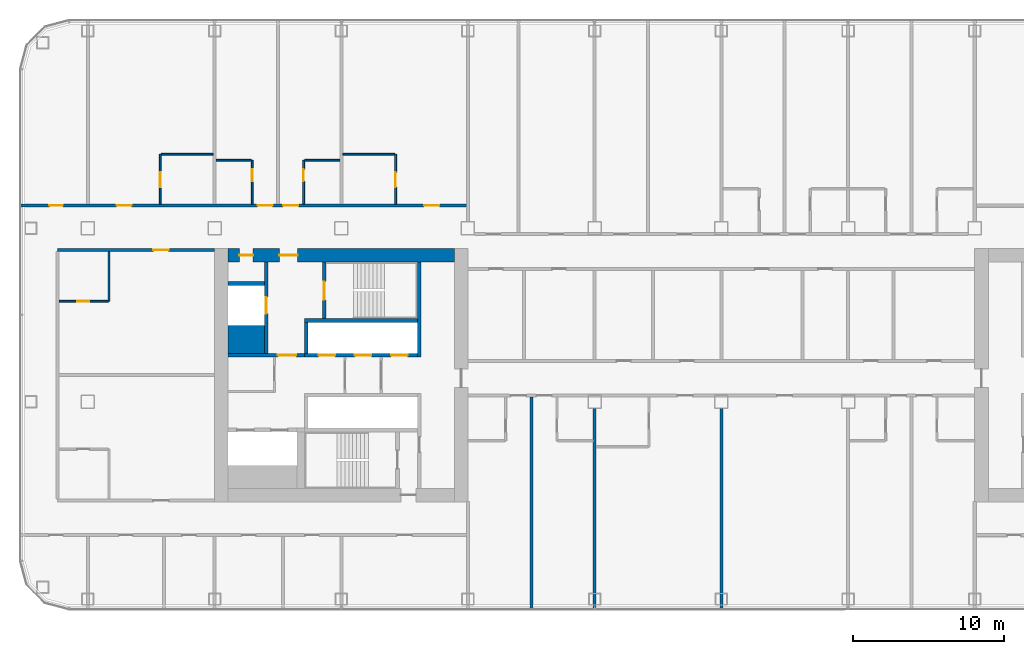
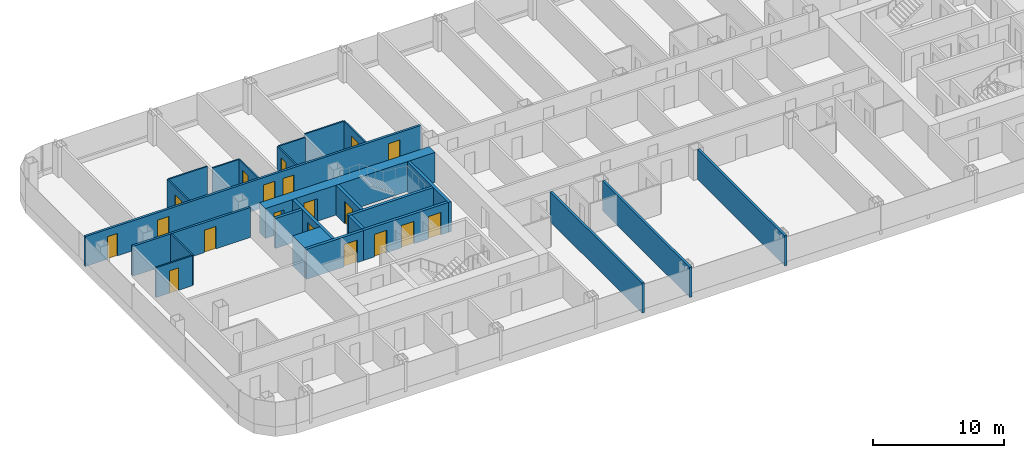
# One storey, part 16 of 29: 25 walls, 19 doors, 19 openings.
"""IFC4 building model written with IfcOpenShell, lengths in metres."""

import ifcopenshell
import ifcopenshell.guid

model = None  # the IFC model being written
_history = None  # IfcOwnerHistory: only IFC2X3 demands one
_inside = {}  # id of a spatial element -> (the spatial element, [elements in it])
_under = {}  # id of a project, library or spatial element -> (it, [spatial elements below it])
_declared = {}  # id of a project -> (the project, [libraries it declares])
_typed = {}  # id of a type object -> (the type object, [elements of that type])
_made_of = {}  # id of a material, layer set ... -> (it, [elements and type objects made of it])


def new_model(schema):
    """Start an empty IFC model of exactly this schema.

    Asked for "IFC4X3", IfcOpenShell would pick the latest addendum, in which some entities
    have other attributes; the version numbers below select the first issue.
    IFC2X3 requires an IfcOwnerHistory on every rooted entity: one is made here for all.
    """
    global model, _history
    if schema == "IFC4X3":
        model = ifcopenshell.file(schema_version=(4, 3, 0, 0))
    else:
        model = ifcopenshell.file(schema=schema)
    _inside.clear()
    _under.clear()
    _declared.clear()
    _typed.clear()
    _made_of.clear()
    _history = None
    if model.schema == "IFC2X3":
        org = make("IfcOrganization", Name="unknown")
        user = make(
            "IfcPersonAndOrganization",
            ThePerson=make("IfcPerson", FamilyName="unknown"),
            TheOrganization=org,
        )
        app = make(
            "IfcApplication",
            ApplicationDeveloper=org,
            Version="unknown",
            ApplicationFullName="unknown",
            ApplicationIdentifier="unknown",
        )
        _history = make(
            "IfcOwnerHistory",
            OwningUser=user,
            OwningApplication=app,
            ChangeAction="ADDED",
            CreationDate=0,
        )
    return model


def make(cls, **values):
    """One entity of the class cls with the attributes given. An attribute that is None is left unset."""
    return model.create_entity(
        cls, **{name: value for name, value in values.items() if value is not None}
    )


def rooted(cls, **values):
    """An entity with a GlobalId (a new one), such as an element, a storey or a relation."""
    return make(cls, GlobalId=ifcopenshell.guid.new(), OwnerHistory=_history, **values)


def si_unit(unit_type, name, prefix=None):
    """IfcSIUnit, for example si_unit("LENGTHUNIT", "METRE", prefix="MILLI")."""
    return make("IfcSIUnit", UnitType=unit_type, Prefix=prefix, Name=name)


def assignment(units):
    """IfcUnitAssignment: the units of a project."""
    return None if units is None else make("IfcUnitAssignment", Units=units)


def point(xyz):
    """IfcCartesianPoint."""
    return None if xyz is None else make("IfcCartesianPoint", Coordinates=xyz)


def direction(xyz):
    """IfcDirection."""
    return None if xyz is None else make("IfcDirection", DirectionRatios=xyz)


def frame(location, z_axis=None, x_axis=None):
    """IfcAxis2Placement3D, a coordinate frame: its origin and axes. An axis left out is left unset."""
    return make(
        "IfcAxis2Placement3D",
        Location=point(location),
        Axis=direction(z_axis),
        RefDirection=direction(x_axis),
    )


def frame_2d(location, x_axis=None):
    """IfcAxis2Placement2D, a coordinate frame in the plane: its origin and x axis."""
    return make(
        "IfcAxis2Placement2D", Location=point(location), RefDirection=direction(x_axis)
    )


def origin():
    """The frame at (0, 0, 0) with its axes left unset."""
    return frame((0.0, 0.0, 0.0))


def place(relative_to, where):
    """IfcLocalPlacement: puts the frame where relative to a parent placement (None: the world)."""
    return make(
        "IfcLocalPlacement", PlacementRelTo=relative_to, RelativePlacement=where
    )


def context(
    kind, dimensions, precision=None, world=None, true_north=None, identifier=None
):
    """IfcGeometricRepresentationContext, for example the 3D "Model" context."""
    return make(
        "IfcGeometricRepresentationContext",
        ContextIdentifier=identifier,
        ContextType=kind,
        CoordinateSpaceDimension=dimensions,
        Precision=precision,
        WorldCoordinateSystem=world,
        TrueNorth=true_north,
    )


def subcontext(parent, identifier, kind, view, scale=None):
    """IfcGeometricRepresentationSubContext, for example "Body" below "Model"."""
    return make(
        "IfcGeometricRepresentationSubContext",
        ContextIdentifier=identifier,
        ContextType=kind,
        ParentContext=parent,
        TargetScale=scale,
        TargetView=view,
    )


def project(units=None, contexts=None):
    """IfcProject with its units and contexts."""
    return rooted(
        "IfcProject",
        Name="project",
        RepresentationContexts=contexts,
        UnitsInContext=assignment(units),
    )


def spatial(cls, under=None, at=None, **own):
    """A site, building, storey or space (cls), placed at a placement, below another one or the project."""
    s = rooted(cls, ObjectPlacement=at, **own)
    if under is not None:
        _under.setdefault(under.id(), (under, []))[1].append(s)
    return s


def profile(cls, at=None, kind="AREA", **sizes):
    """A parametric profile (cls). Its sizes go by their IFC names, for example OverallWidth=200.0."""
    return make(cls, ProfileType=kind, Position=at, **sizes)


def rectangle(**sizes):
    """IfcRectangleProfileDef."""
    return profile("IfcRectangleProfileDef", **sizes)


def extrude(swept, where, along, depth):
    """IfcExtrudedAreaSolid: the profile swept, set in the frame where, extruded along a direction by depth."""
    return make(
        "IfcExtrudedAreaSolid",
        SweptArea=swept,
        Position=where,
        ExtrudedDirection=direction(along),
        Depth=depth,
    )


def shape(context_of_items, identifier, shape_type, items):
    """IfcShapeRepresentation: the items that make up one representation, for example the "Body"."""
    return make(
        "IfcShapeRepresentation",
        ContextOfItems=context_of_items,
        RepresentationIdentifier=identifier,
        RepresentationType=shape_type,
        Items=items,
    )


def material(Name=None, Category=None):
    """IfcMaterial."""
    return make("IfcMaterial", Name=Name, Category=Category)


def layer(
    of_material, thickness, ventilated=None, Name=None, Category=None, Priority=None
):
    """IfcMaterialLayer: one layer of a wall or slab, of a material (None: an air gap)."""
    return make(
        "IfcMaterialLayer",
        Material=of_material,
        LayerThickness=thickness,
        IsVentilated=ventilated,
        Name=Name,
        Category=Category,
        Priority=Priority,
    )


def layer_set(layers, Name=None):
    """IfcMaterialLayerSet."""
    return make("IfcMaterialLayerSet", MaterialLayers=layers, LayerSetName=Name)


def made_of(thing, what):
    """Note that an element or type object is made of a material, layer set ...; save() writes the relation."""
    if what is not None:
        _made_of.setdefault(what.id(), (what, []))[1].append(thing)
    return thing


def type_object(cls, material=None, **own):
    """A type object (cls), such as IfcWallType, which elements share."""
    return made_of(rooted(cls, **own), material)


def element(
    cls,
    number,
    at=None,
    inside=None,
    cuts=None,
    type_object=None,
    material=None,
    context=None,
    identifier="Body",
    shape_type=None,
    held_by="IfcProductDefinitionShape",
    body=None,
    shapes=None,
    **own,
):
    """One element of the class cls, such as IfcWall. Its Tag is "e" and its number.

    at: its placement. inside: the storey or other place that contains it. cuts: it is an
    opening in that element (IfcRelVoidsElement). A single representation is given by context,
    identifier, shape_type and body (its items); several are given by shapes. held_by: the class
    of the entity that holds the representations. save() writes the other relations.
    """
    e = rooted(cls, Tag="e%d" % number, ObjectPlacement=at, **own)
    if body is not None:
        shapes = [shape(context, identifier, shape_type, body)]
    if shapes is not None:
        e.Representation = make(held_by, Representations=shapes)
    if inside is not None:
        _inside.setdefault(inside.id(), (inside, []))[1].append(e)
    if cuts is not None:
        rooted(
            "IfcRelVoidsElement", RelatingBuildingElement=cuts, RelatedOpeningElement=e
        )
    if type_object is not None:
        _typed.setdefault(type_object.id(), (type_object, []))[1].append(e)
    return made_of(e, material)


def fill(opening, filler):
    """IfcRelFillsElement: the door or window that sits in an opening."""
    return rooted(
        "IfcRelFillsElement",
        RelatingOpeningElement=opening,
        RelatedBuildingElement=filler,
    )


def aggregate(whole, parts):
    """IfcRelAggregates: a whole, such as a stair, and the parts it consists of."""
    return rooted("IfcRelAggregates", RelatingObject=whole, RelatedObjects=parts)


def save(model, path):
    """Write the relations noted so far, then the file.

    IfcRelAggregates (storeys below a building ...), IfcRelContainedInSpatialStructure (elements
    in a storey), IfcRelDefinesByType, IfcRelAssociatesMaterial and IfcRelDeclares: one each for
    every whole, place, type object, material and project.
    """
    for whole, parts in _under.values():
        aggregate(whole, parts)
    for where, things in _inside.values():
        rooted(
            "IfcRelContainedInSpatialStructure",
            RelatedElements=things,
            RelatingStructure=where,
        )
    for kind, things in _typed.values():
        rooted("IfcRelDefinesByType", RelatedObjects=things, RelatingType=kind)
    for what, things in _made_of.values():
        rooted("IfcRelAssociatesMaterial", RelatedObjects=things, RelatingMaterial=what)
    for by, libraries in _declared.values():
        rooted("IfcRelDeclares", RelatingContext=by, RelatedDefinitions=libraries)
    model.write(path)


model = new_model("IFC4")

# Units and contexts
model_context = context("Model", 3, precision=1e-05, world=origin(), true_north=direction((0.0, 1.0)))
body_context = subcontext(model_context, "Body", "Model", "MODEL_VIEW")
ifc_project = project(units=[si_unit("LENGTHUNIT", "METRE"), si_unit("AREAUNIT", "SQUARE_METRE"), si_unit("VOLUMEUNIT", "CUBIC_METRE"), si_unit("PLANEANGLEUNIT", "RADIAN"), si_unit("MASSUNIT", "GRAM", prefix="KILO")], contexts=[model_context])

# Site, building, storey
site_placement = place(None, origin())
site = spatial("IfcSite", under=ifc_project, at=site_placement, CompositionType="ELEMENT")
building_placement = place(site_placement, origin())
building = spatial("IfcBuilding", under=site, at=building_placement, Name="Hakoniwa Tower and Hamabe Station Hall", CompositionType="ELEMENT")
storey_placement = place(building_placement, frame((0.0, 0.0, 78.60009765625)))
storey = spatial("IfcBuildingStorey", under=building, at=storey_placement, Name="L21", CompositionType="ELEMENT", Elevation=78.60009765625)

# Wall, opening, door
ifc_material_1 = material(Name="Gypsum board partition", Category="gypsum")
ifc_layer_1 = layer(ifc_material_1, 0.125)
ifc_layer_set_1 = layer_set([ifc_layer_1], Name="Bathroom Partition 125")
wall_type_1 = type_object("IfcWallType", Name="Bathroom Partition 125", PredefinedType="PARTITIONING", material=ifc_layer_set_1)
wall_1_placement = place(storey_placement, frame((-43.89990234375, 4.89990234375, 0.0), z_axis=(0.0, 0.0, 1.0), x_axis=(1.0, 0.0, 0.0)))
wall_1 = element("IfcWall", 1, at=wall_1_placement, inside=storey, type_object=wall_type_1, Name="GW-L21-016", PredefinedType="PARTITIONING", context=body_context, shape_type="SweptSolid", body=[
    extrude(rectangle(XDim=3.2373046875, YDim=0.125, at=frame_2d((1.61865234375, 0.0))), origin(), (0.0, 0.0, 1.0), 2.7998046875),
])
opening_1_placement = place(wall_1_placement, frame((1.199951171875, 0.0, 0.0)))
opening_1 = element("IfcOpeningElement", 2, at=opening_1_placement, cuts=wall_1, Name="Opening GD-G2B0-28", PredefinedType="OPENING", context=body_context, shape_type="SweptSolid", body=[
    extrude(rectangle(XDim=0.800048828125, YDim=2.10009765625, at=frame_2d((0.39990234375, 1.050048828125))), frame((0.0, 0.072509765625, 0.0), z_axis=(0.0, -1.0, 0.0), x_axis=(1.0, 0.0, 0.0)), (0.0, 0.0, 1.0), 0.14501953125),
])
ifc_material_2 = material(Name="Timber door leaf", Category="wood")
door_type_1 = type_object("IfcDoorType", Name="Bathroom Door 800", OperationType="SINGLE_SWING_LEFT", PredefinedType="DOOR", material=ifc_material_2)
door_1_placement = place(opening_1_placement, origin())
door_1 = element("IfcDoor", 3, at=door_1_placement, inside=storey, type_object=door_type_1, Name="Door GD-G2B0-28", OperationType="SINGLE_SWING_RIGHT", OverallHeight=2.10009765625, OverallWidth=0.800048828125, PredefinedType="DOOR", context=body_context, shape_type="SweptSolid", body=[
    extrude(rectangle(XDim=0.800048828125, YDim=2.10009765625, at=frame_2d((0.39990234375, 1.050048828125))), frame((0.0, 0.02490234375, 0.0), z_axis=(0.0, -1.0, 0.0), x_axis=(1.0, 0.0, 0.0)), (0.0, 0.0, 1.0), 0.050048828125),
])
fill(opening_1, door_1)

# Walls
for number, where, z_axis, x_axis, name in (
    (4, (-33.5, 14.25, 0.0), (0.0, 0.0, 1.0), (1.0, 0.0, 0.0), "GW-L21-027"),
    (5, (-27.637451171875, 14.25, 0.0), (0.0, 0.0, 1.0), (1.0, 0.0, 0.0), "GW-L21-028"),
):
    element("IfcWall", number, at=place(storey_placement, frame(where, z_axis=z_axis, x_axis=x_axis)), inside=storey, type_object=wall_type_1, Name=name, PredefinedType="PARTITIONING", context=body_context, shape_type="SweptSolid", body=[
        extrude(rectangle(XDim=2.33740234375, YDim=0.125, at=frame_2d((1.168701171875, 0.0))), origin(), (0.0, 0.0, 1.0), 2.7998046875),
    ])
for number, where, z_axis, x_axis, name in (
    (6, (-37.137451171875, 14.64990234375, 0.0), (0.0, 0.0, 1.0), (1.0, 0.0, 0.0), "GW-L21-029"),
    (7, (-25.10009765625, 14.64990234375, 0.0), (0.0, 0.0, 1.0), (1.0, 0.0, 0.0), "GW-L21-030"),
):
    element("IfcWall", number, at=place(storey_placement, frame(where, z_axis=z_axis, x_axis=x_axis)), inside=storey, type_object=wall_type_1, Name=name, PredefinedType="PARTITIONING", context=body_context, shape_type="SweptSolid", body=[
        extrude(rectangle(XDim=3.4375, YDim=0.125, at=frame_2d((1.71875, 0.0))), origin(), (0.0, 0.0, 1.0), 2.7998046875),
    ])
wall_2_placement = place(storey_placement, frame((-40.60009765625, 4.89990234375, 0.0), z_axis=(0.0, 0.0, 1.0), x_axis=(0.0, 1.0, 0.0)))
element("IfcWall", 8, at=wall_2_placement, inside=storey, type_object=wall_type_1, Name="GW-L21-035", PredefinedType="PARTITIONING", context=body_context, shape_type="SweptSolid", body=[
    extrude(rectangle(XDim=3.300048828125, YDim=0.125, at=frame_2d((1.64990234375, 0.0))), origin(), (0.0, 0.0, 1.0), 2.7998046875),
])

# Wall, opening, door
wall_3_placement = place(storey_placement, frame((-37.199951171875, 11.35009765625, 0.0), z_axis=(0.0, 0.0, 1.0), x_axis=(0.0, 1.0, 0.0)))
wall_3 = element("IfcWall", 9, at=wall_3_placement, inside=storey, type_object=wall_type_1, Name="GW-L21-036", PredefinedType="PARTITIONING", context=body_context, shape_type="SweptSolid", body=[
    extrude(rectangle(XDim=3.2998046875, YDim=0.125, at=frame_2d((1.64990234375, 0.0))), origin(), (0.0, 0.0, 1.0), 2.7998046875),
])
opening_2_placement = place(wall_3_placement, frame((1.10009765625, 0.0, 0.0)))
opening_2 = element("IfcOpeningElement", 10, at=opening_2_placement, cuts=wall_3, Name="Opening GD-G2B0-53", PredefinedType="OPENING", context=body_context, shape_type="SweptSolid", body=[
    extrude(rectangle(XDim=1.0, YDim=2.10009765625, at=frame_2d((0.5, 1.050048828125))), frame((0.0, 0.072509765625, 0.0), z_axis=(0.0, -1.0, 0.0), x_axis=(1.0, 0.0, 0.0)), (0.0, 0.0, 1.0), 0.14501953125),
])
ifc_material_3 = material(Name="Timber door leaf", Category="wood")
door_type_2 = type_object("IfcDoorType", Name="Accessible Bathroom Door 1000", OperationType="SINGLE_SWING_LEFT", PredefinedType="DOOR", material=ifc_material_3)
door_2_placement = place(opening_2_placement, origin())
door_2 = element("IfcDoor", 11, at=door_2_placement, inside=storey, type_object=door_type_2, Name="Door GD-G2B0-53", OperationType="SINGLE_SWING_LEFT", OverallHeight=2.10009765625, OverallWidth=1.0, PredefinedType="DOOR", context=body_context, shape_type="SweptSolid", body=[
    extrude(rectangle(XDim=1.0, YDim=2.10009765625, at=frame_2d((0.5, 1.050048828125))), frame((0.0, 0.02490234375, 0.0), z_axis=(0.0, -1.0, 0.0), x_axis=(1.0, 0.0, 0.0)), (0.0, 0.0, 1.0), 0.050048828125),
])
fill(opening_2, door_2)

wall_4_placement = place(storey_placement, frame((-31.10009765625, 11.35009765625, 0.0), z_axis=(0.0, 0.0, 1.0), x_axis=(0.0, 1.0, 0.0)))
wall_4 = element("IfcWall", 12, at=wall_4_placement, inside=storey, type_object=wall_type_1, Name="GW-L21-040", PredefinedType="PARTITIONING", context=body_context, shape_type="SweptSolid", body=[
    extrude(rectangle(XDim=2.89990234375, YDim=0.125, at=frame_2d((1.449951171875, 0.0))), origin(), (0.0, 0.0, 1.0), 2.7998046875),
])
opening_3_placement = place(wall_4_placement, frame((1.5, 0.0, 0.0)))
opening_3 = element("IfcOpeningElement", 13, at=opening_3_placement, cuts=wall_4, Name="Opening GD-G2B0-54", PredefinedType="OPENING", context=body_context, shape_type="SweptSolid", body=[
    extrude(rectangle(XDim=0.800048828125, YDim=2.10009765625, at=frame_2d((0.39990234375, 1.050048828125))), frame((0.0, 0.072509765625, 0.0), z_axis=(0.0, -1.0, 0.0), x_axis=(1.0, 0.0, 0.0)), (0.0, 0.0, 1.0), 0.14501953125),
])
door_3_placement = place(opening_3_placement, origin())
door_3 = element("IfcDoor", 14, at=door_3_placement, inside=storey, type_object=door_type_1, Name="Door GD-G2B0-54", OperationType="SINGLE_SWING_LEFT", OverallHeight=2.10009765625, OverallWidth=0.800048828125, PredefinedType="DOOR", context=body_context, shape_type="SweptSolid", body=[
    extrude(rectangle(XDim=0.800048828125, YDim=2.10009765625, at=frame_2d((0.39990234375, 1.050048828125))), frame((0.0, 0.02490234375, 0.0), z_axis=(0.0, -1.0, 0.0), x_axis=(1.0, 0.0, 0.0)), (0.0, 0.0, 1.0), 0.050048828125),
])
fill(opening_3, door_3)

wall_5_placement = place(storey_placement, frame((-27.699951171875, 11.35009765625, 0.0), z_axis=(0.0, 0.0, 1.0), x_axis=(0.0, 1.0, 0.0)))
wall_5 = element("IfcWall", 15, at=wall_5_placement, inside=storey, type_object=wall_type_1, Name="GW-L21-043", PredefinedType="PARTITIONING", context=body_context, shape_type="SweptSolid", body=[
    extrude(rectangle(XDim=2.89990234375, YDim=0.125, at=frame_2d((1.449951171875, 0.0))), origin(), (0.0, 0.0, 1.0), 2.7998046875),
])
opening_4_placement = place(wall_5_placement, frame((1.5, 0.0, 0.0)))
opening_4 = element("IfcOpeningElement", 16, at=opening_4_placement, cuts=wall_5, Name="Opening GD-G2B0-55", PredefinedType="OPENING", context=body_context, shape_type="SweptSolid", body=[
    extrude(rectangle(XDim=0.800048828125, YDim=2.10009765625, at=frame_2d((0.39990234375, 1.050048828125))), frame((0.0, 0.072509765625, 0.0), z_axis=(0.0, -1.0, 0.0), x_axis=(1.0, 0.0, 0.0)), (0.0, 0.0, 1.0), 0.14501953125),
])
door_4_placement = place(opening_4_placement, origin())
door_4 = element("IfcDoor", 17, at=door_4_placement, inside=storey, type_object=door_type_1, Name="Door GD-G2B0-55", OperationType="SINGLE_SWING_RIGHT", OverallHeight=2.10009765625, OverallWidth=0.800048828125, PredefinedType="DOOR", context=body_context, shape_type="SweptSolid", body=[
    extrude(rectangle(XDim=0.800048828125, YDim=2.10009765625, at=frame_2d((0.39990234375, 1.050048828125))), frame((0.0, 0.02490234375, 0.0), z_axis=(0.0, -1.0, 0.0), x_axis=(1.0, 0.0, 0.0)), (0.0, 0.0, 1.0), 0.050048828125),
])
fill(opening_4, door_4)

wall_6_placement = place(storey_placement, frame((-21.60009765625, 11.35009765625, 0.0), z_axis=(0.0, 0.0, 1.0), x_axis=(0.0, 1.0, 0.0)))
wall_6 = element("IfcWall", 18, at=wall_6_placement, inside=storey, type_object=wall_type_1, Name="GW-L21-046", PredefinedType="PARTITIONING", context=body_context, shape_type="SweptSolid", body=[
    extrude(rectangle(XDim=3.2998046875, YDim=0.125, at=frame_2d((1.64990234375, 0.0))), origin(), (0.0, 0.0, 1.0), 2.7998046875),
])
opening_5_placement = place(wall_6_placement, frame((1.10009765625, 0.0, 0.0)))
opening_5 = element("IfcOpeningElement", 19, at=opening_5_placement, cuts=wall_6, Name="Opening GD-G2B0-56", PredefinedType="OPENING", context=body_context, shape_type="SweptSolid", body=[
    extrude(rectangle(XDim=1.0, YDim=2.10009765625, at=frame_2d((0.5, 1.050048828125))), frame((0.0, 0.072509765625, 0.0), z_axis=(0.0, -1.0, 0.0), x_axis=(1.0, 0.0, 0.0)), (0.0, 0.0, 1.0), 0.14501953125),
])
door_5_placement = place(opening_5_placement, origin())
door_5 = element("IfcDoor", 20, at=door_5_placement, inside=storey, type_object=door_type_2, Name="Door GD-G2B0-56", OperationType="SINGLE_SWING_LEFT", OverallHeight=2.10009765625, OverallWidth=1.0, PredefinedType="DOOR", context=body_context, shape_type="SweptSolid", body=[
    extrude(rectangle(XDim=1.0, YDim=2.10009765625, at=frame_2d((0.5, 1.050048828125))), frame((0.0, 0.02490234375, 0.0), z_axis=(0.0, -1.0, 0.0), x_axis=(1.0, 0.0, 0.0)), (0.0, 0.0, 1.0), 0.050048828125),
])
fill(opening_5, door_5)

# Wall, openings, doors
ifc_material_4 = material(Name="Concrete C72", Category="concrete")
ifc_layer_2 = layer(ifc_material_4, 0.89990234375)
ifc_layer_set_2 = layer_set([ifc_layer_2], Name="CORE WALL 900 C72")
wall_type_2 = type_object("IfcWallType", Name="CORE WALL 900 C72", PredefinedType="SHEAR", material=ifc_layer_set_2)
wall_7_placement = place(storey_placement, frame((-32.699951171875, 7.949951171875, 0.0), z_axis=(0.0, 0.0, 1.0), x_axis=(1.0, 0.0, 0.0)))
wall_7 = element("IfcWall", 21, at=wall_7_placement, inside=storey, type_object=wall_type_2, Name="Core wall NORTH west", PredefinedType="SHEAR", context=body_context, shape_type="SweptSolid", body=[
    extrude(rectangle(XDim=15.0, YDim=0.89990234375, at=frame_2d((7.5, 0.0))), origin(), (0.0, 0.0, 1.0), 2.7998046875),
])
opening_6_placement = place(wall_7_placement, frame((3.39990234375, 0.0, 0.0)))
opening_6 = element("IfcOpeningElement", 22, at=opening_6_placement, cuts=wall_7, Name="Opening CD-W-FN1-12", PredefinedType="OPENING", context=body_context, shape_type="SweptSolid", body=[
    extrude(rectangle(XDim=1.199951171875, YDim=2.10009765625, at=frame_2d((0.60009765625, 1.050048828125))), frame((0.0, 0.4599609375, 0.0), z_axis=(0.0, -1.0, 0.0), x_axis=(1.0, 0.0, 0.0)), (0.0, 0.0, 1.0), 0.919921875),
])
opening_7_placement = place(wall_7_placement, frame((0.75, 0.0, 0.0)))
opening_7 = element("IfcOpeningElement", 23, at=opening_7_placement, cuts=wall_7, Name="Opening CD-W-FN2-9", PredefinedType="OPENING", context=body_context, shape_type="SweptSolid", body=[
    extrude(rectangle(XDim=0.89990234375, YDim=2.10009765625, at=frame_2d((0.449951171875, 1.050048828125))), frame((0.0, 0.4599609375, 0.0), z_axis=(0.0, -1.0, 0.0), x_axis=(1.0, 0.0, 0.0)), (0.0, 0.0, 1.0), 0.919921875),
])
ifc_material_5 = material(Name="Steel fire door", Category="steel")
door_type_3 = type_object("IfcDoorType", Name="CORE DOOR 1200 FD60", OperationType="DOUBLE_DOOR_SINGLE_SWING", PredefinedType="DOOR", material=ifc_material_5)
door_6_placement = place(opening_6_placement, origin())
door_6 = element("IfcDoor", 24, at=door_6_placement, inside=storey, type_object=door_type_3, Name="Stair vestibule door to the fire-fighting lobby", OperationType="DOUBLE_DOOR_SINGLE_SWING", OverallHeight=2.10009765625, OverallWidth=1.199951171875, PredefinedType="DOOR", context=body_context, shape_type="SweptSolid", body=[
    extrude(rectangle(XDim=1.199951171875, YDim=2.10009765625, at=frame_2d((0.60009765625, 1.050048828125))), frame((0.0, 0.02490234375, 0.0), z_axis=(0.0, -1.0, 0.0), x_axis=(1.0, 0.0, 0.0)), (0.0, 0.0, 1.0), 0.050048828125),
])
fill(opening_6, door_6)
ifc_material_6 = material(Name="Steel fire door", Category="steel")
door_type_4 = type_object("IfcDoorType", Name="CORE DOOR 900 FD30", OperationType="NOTDEFINED", PredefinedType="DOOR", material=ifc_material_6)
door_7_placement = place(opening_7_placement, origin())
door_7 = element("IfcDoor", 25, at=door_7_placement, inside=storey, type_object=door_type_4, Name="Riser access door", OperationType="SINGLE_SWING_LEFT", OverallHeight=2.10009765625, OverallWidth=0.89990234375, PredefinedType="DOOR", context=body_context, shape_type="SweptSolid", body=[
    extrude(rectangle(XDim=0.89990234375, YDim=2.10009765625, at=frame_2d((0.449951171875, 1.050048828125))), frame((0.0, 0.02490234375, 0.0), z_axis=(0.0, -1.0, 0.0), x_axis=(1.0, 0.0, 0.0)), (0.0, 0.0, 1.0), 0.050048828125),
])
fill(opening_7, door_7)

# Walls
ifc_material_7 = material(Name="Concrete C72", Category="concrete")
ifc_layer_3 = layer(ifc_material_7, 1.85009765625)
ifc_layer_set_3 = layer_set([ifc_layer_3], Name="CORE WEB WALL 1850 C72")
wall_type_3 = type_object("IfcWallType", Name="CORE WEB WALL 1850 C72", PredefinedType="SHEAR", material=ifc_layer_set_3)
wall_8_placement = place(storey_placement, frame((-32.699951171875, 2.375, 0.0), z_axis=(0.0, 0.0, 1.0), x_axis=(1.0, 0.0, 0.0)))
element("IfcWall", 26, at=wall_8_placement, inside=storey, type_object=wall_type_3, Name="Core wall CA west", PredefinedType="SHEAR", context=body_context, shape_type="SweptSolid", body=[
    extrude(rectangle(XDim=2.39990234375, YDim=1.85009765625, at=frame_2d((1.199951171875, 0.0))), origin(), (0.0, 0.0, 1.0), 2.7998046875),
])
ifc_material_8 = material(Name="Concrete C72", Category="concrete")
ifc_layer_4 = layer(ifc_material_8, 0.25)
ifc_layer_set_4 = layer_set([ifc_layer_4], Name="CORE WEB WALL 250 C72")
wall_type_4 = type_object("IfcWallType", Name="CORE WEB WALL 250 C72", PredefinedType="SHEAR", material=ifc_layer_set_4)
wall_9_placement = place(storey_placement, frame((-20.02490234375, 1.199951171875, 0.0), z_axis=(0.0, 0.0, 1.0), x_axis=(0.0, 1.0, 0.0)))
element("IfcWall", 27, at=wall_9_placement, inside=storey, type_object=wall_type_4, Name="Core wall W1N west", PredefinedType="SHEAR", context=body_context, shape_type="SweptSolid", body=[
    extrude(rectangle(XDim=6.300048828125, YDim=0.25, at=frame_2d((3.14990234375, 0.0))), origin(), (0.0, 0.0, 1.0), 2.7998046875),
])

# Wall, openings, doors
wall_10_placement = place(storey_placement, frame((-27.64990234375, 1.324951171875, 0.0), z_axis=(0.0, 0.0, 1.0), x_axis=(1.0, 0.0, 0.0)))
wall_10 = element("IfcWall", 28, at=wall_10_placement, inside=storey, type_object=wall_type_4, Name="Core wall NF west", PredefinedType="SHEAR", context=body_context, shape_type="SweptSolid", body=[
    extrude(rectangle(XDim=7.5, YDim=0.25, at=frame_2d((3.75, 0.0))), origin(), (0.0, 0.0, 1.0), 2.7998046875),
])
opening_8_placement = place(wall_10_placement, frame((5.75, 0.0, 0.0)))
opening_8 = element("IfcOpeningElement", 29, at=opening_8_placement, cuts=wall_10, Name="Opening LD-LR1", PredefinedType="OPENING", context=body_context, shape_type="SweptSolid", body=[
    extrude(rectangle(XDim=1.10009765625, YDim=2.10009765625, at=frame_2d((0.550048828125, 1.050048828125))), frame((0.0, 0.135009765625, 0.0), z_axis=(0.0, -1.0, 0.0), x_axis=(1.0, 0.0, 0.0)), (0.0, 0.0, 1.0), 0.27001953125),
])
opening_9_placement = place(wall_10_placement, frame((3.35009765625, 0.0, 0.0)))
opening_9 = element("IfcOpeningElement", 30, at=opening_9_placement, cuts=wall_10, Name="Opening LD-LR2", PredefinedType="OPENING", context=body_context, shape_type="SweptSolid", body=[
    extrude(rectangle(XDim=1.10009765625, YDim=2.10009765625, at=frame_2d((0.550048828125, 1.050048828125))), frame((0.0, 0.135009765625, 0.0), z_axis=(0.0, -1.0, 0.0), x_axis=(1.0, 0.0, 0.0)), (0.0, 0.0, 1.0), 0.27001953125),
])
opening_10_placement = place(wall_10_placement, frame((0.949951171875, 0.0, 0.0)))
opening_10 = element("IfcOpeningElement", 31, at=opening_10_placement, cuts=wall_10, Name="Opening LD-LR3", PredefinedType="OPENING", context=body_context, shape_type="SweptSolid", body=[
    extrude(rectangle(XDim=1.10009765625, YDim=2.10009765625, at=frame_2d((0.550048828125, 1.050048828125))), frame((0.0, 0.135009765625, 0.0), z_axis=(0.0, -1.0, 0.0), x_axis=(1.0, 0.0, 0.0)), (0.0, 0.0, 1.0), 0.27001953125),
])
ifc_material_9 = material(Name="Stainless steel SUS304", Category="steel")
door_type_5 = type_object("IfcDoorType", Name="LIFT LANDING DOOR 1100 FD60", OperationType="DOUBLE_DOOR_SLIDING", PredefinedType="DOOR", material=ifc_material_9)
door_8_placement = place(opening_8_placement, origin())
door_8 = element("IfcDoor", 32, at=door_8_placement, inside=storey, type_object=door_type_5, Name="Lift landing door LR1 L21", OperationType="DOUBLE_DOOR_SLIDING", OverallHeight=2.10009765625, OverallWidth=1.10009765625, PredefinedType="DOOR", context=body_context, shape_type="SweptSolid", body=[
    extrude(rectangle(XDim=1.10009765625, YDim=2.10009765625, at=frame_2d((0.550048828125, 1.050048828125))), frame((0.0, 0.02490234375, 0.0), z_axis=(0.0, -1.0, 0.0), x_axis=(1.0, 0.0, 0.0)), (0.0, 0.0, 1.0), 0.050048828125),
])
fill(opening_8, door_8)
door_9_placement = place(opening_9_placement, origin())
door_9 = element("IfcDoor", 33, at=door_9_placement, inside=storey, type_object=door_type_5, Name="Lift landing door LR2 L21", OperationType="DOUBLE_DOOR_SLIDING", OverallHeight=2.10009765625, OverallWidth=1.10009765625, PredefinedType="DOOR", context=body_context, shape_type="SweptSolid", body=[
    extrude(rectangle(XDim=1.10009765625, YDim=2.10009765625, at=frame_2d((0.550048828125, 1.050048828125))), frame((0.0, 0.02490234375, 0.0), z_axis=(0.0, -1.0, 0.0), x_axis=(1.0, 0.0, 0.0)), (0.0, 0.0, 1.0), 0.050048828125),
])
fill(opening_9, door_9)
door_10_placement = place(opening_10_placement, origin())
door_10 = element("IfcDoor", 34, at=door_10_placement, inside=storey, type_object=door_type_5, Name="Lift landing door LR3 L21", OperationType="DOUBLE_DOOR_SLIDING", OverallHeight=2.10009765625, OverallWidth=1.10009765625, PredefinedType="DOOR", context=body_context, shape_type="SweptSolid", body=[
    extrude(rectangle(XDim=1.10009765625, YDim=2.10009765625, at=frame_2d((0.550048828125, 1.050048828125))), frame((0.0, 0.02490234375, 0.0), z_axis=(0.0, -1.0, 0.0), x_axis=(1.0, 0.0, 0.0)), (0.0, 0.0, 1.0), 0.050048828125),
])
fill(opening_10, door_10)

# Walls
wall_11_placement = place(storey_placement, frame((-27.52490234375, 1.449951171875, 0.0), z_axis=(0.0, 0.0, 1.0), x_axis=(0.0, 1.0, 0.0)))
element("IfcWall", 35, at=wall_11_placement, inside=storey, type_object=wall_type_4, Name="Core wall NE west", PredefinedType="SHEAR", context=body_context, shape_type="SweptSolid", body=[
    extrude(rectangle(XDim=2.050048828125, YDim=0.25, at=frame_2d((1.02490234375, 0.0))), origin(), (0.0, 0.0, 1.0), 2.7998046875),
])
wall_12_placement = place(storey_placement, frame((-27.64990234375, 3.625, 0.0), z_axis=(0.0, 0.0, 1.0), x_axis=(1.0, 0.0, 0.0)))
element("IfcWall", 36, at=wall_12_placement, inside=storey, type_object=wall_type_4, Name="Core wall NR west", PredefinedType="SHEAR", context=body_context, shape_type="SweptSolid", body=[
    extrude(rectangle(XDim=7.5, YDim=0.25, at=frame_2d((3.75, 0.0))), origin(), (0.0, 0.0, 1.0), 2.7998046875),
])

# Wall, opening, door
wall_13_placement = place(storey_placement, frame((-26.324951171875, 3.75, 0.0), z_axis=(0.0, 0.0, 1.0), x_axis=(0.0, 1.0, 0.0)))
wall_13 = element("IfcWall", 37, at=wall_13_placement, inside=storey, type_object=wall_type_4, Name="Core wall NSE west", PredefinedType="SHEAR", context=body_context, shape_type="SweptSolid", body=[
    extrude(rectangle(XDim=3.75, YDim=0.25, at=frame_2d((1.875, 0.0))), origin(), (0.0, 0.0, 1.0), 2.7998046875),
])
opening_11_placement = place(wall_13_placement, frame((1.25, 0.0, 0.0)))
opening_11 = element("IfcOpeningElement", 38, at=opening_11_placement, cuts=wall_13, Name="Opening CD-W-SN-12", PredefinedType="OPENING", context=body_context, shape_type="SweptSolid", body=[
    extrude(rectangle(XDim=1.199951171875, YDim=2.10009765625, at=frame_2d((0.60009765625, 1.050048828125))), frame((0.0, 0.135009765625, 0.0), z_axis=(0.0, -1.0, 0.0), x_axis=(1.0, 0.0, 0.0)), (0.0, 0.0, 1.0), 0.27001953125),
])
door_11_placement = place(opening_11_placement, origin())
door_11 = element("IfcDoor", 39, at=door_11_placement, inside=storey, type_object=door_type_3, Name="Escape stair door", OperationType="DOUBLE_DOOR_SINGLE_SWING", OverallHeight=2.10009765625, OverallWidth=1.199951171875, PredefinedType="DOOR", context=body_context, shape_type="SweptSolid", body=[
    extrude(rectangle(XDim=1.199951171875, YDim=2.10009765625, at=frame_2d((0.60009765625, 1.050048828125))), frame((0.0, 0.02490234375, 0.0), z_axis=(0.0, -1.0, 0.0), x_axis=(1.0, 0.0, 0.0)), (0.0, 0.0, 1.0), 0.050048828125),
])
fill(opening_11, door_11)

wall_14_placement = place(storey_placement, frame((-32.699951171875, 1.324951171875, 0.0), z_axis=(0.0, 0.0, 1.0), x_axis=(1.0, 0.0, 0.0)))
wall_14 = element("IfcWall", 40, at=wall_14_placement, inside=storey, type_object=wall_type_4, Name="Core wall ELN west", PredefinedType="SHEAR", context=body_context, shape_type="SweptSolid", body=[
    extrude(rectangle(XDim=5.050048828125, YDim=0.25, at=frame_2d((2.52490234375, 0.0))), origin(), (0.0, 0.0, 1.0), 2.7998046875),
])
opening_12_placement = place(wall_14_placement, frame((3.300048828125, 0.0, 0.0)))
opening_12 = element("IfcOpeningElement", 41, at=opening_12_placement, cuts=wall_14, Name="Opening CD-W-FL-12", PredefinedType="OPENING", context=body_context, shape_type="SweptSolid", body=[
    extrude(rectangle(XDim=1.199951171875, YDim=2.10009765625, at=frame_2d((0.60009765625, 1.050048828125))), frame((0.0, 0.135009765625, 0.0), z_axis=(0.0, -1.0, 0.0), x_axis=(1.0, 0.0, 0.0)), (0.0, 0.0, 1.0), 0.27001953125),
])
door_12_placement = place(opening_12_placement, origin())
door_12 = element("IfcDoor", 42, at=door_12_placement, inside=storey, type_object=door_type_3, Name="Stair vestibule door to the fire-fighting lobby", OperationType="DOUBLE_DOOR_SINGLE_SWING", OverallHeight=2.10009765625, OverallWidth=1.199951171875, PredefinedType="DOOR", context=body_context, shape_type="SweptSolid", body=[
    extrude(rectangle(XDim=1.199951171875, YDim=2.10009765625, at=frame_2d((0.60009765625, 1.050048828125))), frame((0.0, 0.02490234375, 0.0), z_axis=(0.0, -1.0, 0.0), x_axis=(1.0, 0.0, 0.0)), (0.0, 0.0, 1.0), 0.050048828125),
])
fill(opening_12, door_12)

wall_15_placement = place(storey_placement, frame((-30.175048828125, 1.449951171875, 0.0), z_axis=(0.0, 0.0, 1.0), x_axis=(0.0, 1.0, 0.0)))
wall_15 = element("IfcWall", 43, at=wall_15_placement, inside=storey, type_object=wall_type_4, Name="Core wall FFF west", PredefinedType="SHEAR", context=body_context, shape_type="SweptSolid", body=[
    extrude(rectangle(XDim=6.050048828125, YDim=0.25, at=frame_2d((3.02490234375, 0.0))), origin(), (0.0, 0.0, 1.0), 2.7998046875),
])
opening_13_placement = place(wall_15_placement, frame((2.625, 0.0, 0.0)))
opening_13 = element("IfcOpeningElement", 44, at=opening_13_placement, cuts=wall_15, Name="Opening LD-FF1", PredefinedType="OPENING", context=body_context, shape_type="SweptSolid", body=[
    extrude(rectangle(XDim=1.10009765625, YDim=2.10009765625, at=frame_2d((0.550048828125, 1.050048828125))), frame((0.0, 0.135009765625, 0.0), z_axis=(0.0, -1.0, 0.0), x_axis=(1.0, 0.0, 0.0)), (0.0, 0.0, 1.0), 0.27001953125),
])
door_13_placement = place(opening_13_placement, origin())
door_13 = element("IfcDoor", 45, at=door_13_placement, inside=storey, type_object=door_type_5, Name="Lift landing door FF1 L21", OperationType="DOUBLE_DOOR_SLIDING", OverallHeight=2.10009765625, OverallWidth=1.10009765625, PredefinedType="DOOR", context=body_context, shape_type="SweptSolid", body=[
    extrude(rectangle(XDim=1.10009765625, YDim=2.10009765625, at=frame_2d((0.550048828125, 1.050048828125))), frame((0.0, 0.02490234375, 0.0), z_axis=(0.0, -1.0, 0.0), x_axis=(1.0, 0.0, 0.0)), (0.0, 0.0, 1.0), 0.050048828125),
])
fill(opening_13, door_13)

# Wall
wall_16_placement = place(storey_placement, frame((-32.699951171875, 6.074951171875, 0.0), z_axis=(0.0, 0.0, 1.0), x_axis=(1.0, 0.0, 0.0)))
element("IfcWall", 46, at=wall_16_placement, inside=storey, type_object=wall_type_4, Name="Core wall C2 west", PredefinedType="SHEAR", context=body_context, shape_type="SweptSolid", body=[
    extrude(rectangle(XDim=2.39990234375, YDim=0.25, at=frame_2d((1.199951171875, 0.0))), origin(), (0.0, 0.0, 1.0), 2.7998046875),
])

# Wall, opening, door
ifc_material_10 = material(Name="Fire-rated gypsum board partition", Category="gypsum")
ifc_layer_5 = layer(ifc_material_10, 0.199951171875)
ifc_layer_set_5 = layer_set([ifc_layer_5], Name="Corridor Wall 200")
wall_type_5 = type_object("IfcWallType", Name="Corridor Wall 200", PredefinedType="PARTITIONING", material=ifc_layer_set_5)
wall_17_placement = place(storey_placement, frame((-44.0, 8.300048828125, 0.0), z_axis=(0.0, 0.0, 1.0), x_axis=(1.0, 0.0, 0.0)))
wall_17 = element("IfcWall", 47, at=wall_17_placement, inside=storey, type_object=wall_type_5, Name="GW-L21-019", PredefinedType="PARTITIONING", context=body_context, shape_type="SweptSolid", body=[
    extrude(rectangle(XDim=10.39990234375, YDim=0.199951171875, at=frame_2d((5.199951171875, 0.0))), origin(), (0.0, 0.0, 1.0), 2.7998046875),
])
opening_14_placement = place(wall_17_placement, frame((6.35009765625, 0.0, 0.0)))
opening_14 = element("IfcOpeningElement", 48, at=opening_14_placement, cuts=wall_17, Name="Opening GD-G2B0-34", PredefinedType="OPENING", context=body_context, shape_type="SweptSolid", body=[
    extrude(rectangle(XDim=1.0, YDim=2.10009765625, at=frame_2d((0.5, 1.050048828125))), frame((0.0, 0.10986328125, 0.0), z_axis=(0.0, -1.0, 0.0), x_axis=(1.0, 0.0, 0.0)), (0.0, 0.0, 1.0), 0.219970703125),
])
ifc_material_11 = material(Name="Timber door leaf", Category="wood")
door_type_6 = type_object("IfcDoorType", Name="Guest Entrance Door 1000", OperationType="SINGLE_SWING_LEFT", PredefinedType="DOOR", material=ifc_material_11)
door_14_placement = place(opening_14_placement, origin())
door_14 = element("IfcDoor", 49, at=door_14_placement, inside=storey, type_object=door_type_6, Name="Door GD-G2B0-34", OperationType="SINGLE_SWING_RIGHT", OverallHeight=2.10009765625, OverallWidth=1.0, PredefinedType="DOOR", context=body_context, shape_type="SweptSolid", body=[
    extrude(rectangle(XDim=1.0, YDim=2.10009765625, at=frame_2d((0.5, 1.050048828125))), frame((0.0, 0.02490234375, 0.0), z_axis=(0.0, -1.0, 0.0), x_axis=(1.0, 0.0, 0.0)), (0.0, 0.0, 1.0), 0.050048828125),
])
fill(opening_14, door_14)

# Wall, openings, doors
wall_18_placement = place(storey_placement, frame((-46.5, 11.25, 0.0), z_axis=(0.0, 0.0, 1.0), x_axis=(1.0, 0.0, 0.0)))
wall_18 = element("IfcWall", 50, at=wall_18_placement, inside=storey, type_object=wall_type_5, Name="GW-L21-022", PredefinedType="PARTITIONING", context=body_context, shape_type="SweptSolid", body=[
    extrude(rectangle(XDim=29.699951171875, YDim=0.199951171875, at=frame_2d((14.85009765625, 0.0))), origin(), (0.0, 0.0, 1.0), 2.7998046875),
])
opening_15_placement = place(wall_18_placement, frame((1.949951171875, 0.0, 0.0)))
opening_15 = element("IfcOpeningElement", 51, at=opening_15_placement, cuts=wall_18, Name="Opening GD-G2B0-44", PredefinedType="OPENING", context=body_context, shape_type="SweptSolid", body=[
    extrude(rectangle(XDim=0.89990234375, YDim=2.10009765625, at=frame_2d((0.449951171875, 1.050048828125))), frame((0.0, 0.10986328125, 0.0), z_axis=(0.0, -1.0, 0.0), x_axis=(1.0, 0.0, 0.0)), (0.0, 0.0, 1.0), 0.219970703125),
])
opening_16_placement = place(wall_18_placement, frame((6.39990234375, 0.0, 0.0)))
opening_16 = element("IfcOpeningElement", 52, at=opening_16_placement, cuts=wall_18, Name="Opening GD-G2B0-45", PredefinedType="OPENING", context=body_context, shape_type="SweptSolid", body=[
    extrude(rectangle(XDim=1.0, YDim=2.10009765625, at=frame_2d((0.5, 1.050048828125))), frame((0.0, 0.10986328125, 0.0), z_axis=(0.0, -1.0, 0.0), x_axis=(1.0, 0.0, 0.0)), (0.0, 0.0, 1.0), 0.219970703125),
])
opening_17_placement = place(wall_18_placement, frame((15.75, 0.0, 0.0)))
opening_17 = element("IfcOpeningElement", 53, at=opening_17_placement, cuts=wall_18, Name="Opening GD-G2B0-46", PredefinedType="OPENING", context=body_context, shape_type="SweptSolid", body=[
    extrude(rectangle(XDim=1.0, YDim=2.10009765625, at=frame_2d((0.5, 1.050048828125))), frame((0.0, 0.10986328125, 0.0), z_axis=(0.0, -1.0, 0.0), x_axis=(1.0, 0.0, 0.0)), (0.0, 0.0, 1.0), 0.219970703125),
])
opening_18_placement = place(wall_18_placement, frame((17.449951171875, 0.0, 0.0)))
opening_18 = element("IfcOpeningElement", 54, at=opening_18_placement, cuts=wall_18, Name="Opening GD-G2B0-47", PredefinedType="OPENING", context=body_context, shape_type="SweptSolid", body=[
    extrude(rectangle(XDim=1.0, YDim=2.10009765625, at=frame_2d((0.5, 1.050048828125))), frame((0.0, 0.10986328125, 0.0), z_axis=(0.0, -1.0, 0.0), x_axis=(1.0, 0.0, 0.0)), (0.0, 0.0, 1.0), 0.219970703125),
])
opening_19_placement = place(wall_18_placement, frame((26.800048828125, 0.0, 0.0)))
opening_19 = element("IfcOpeningElement", 55, at=opening_19_placement, cuts=wall_18, Name="Opening GD-G2B0-48", PredefinedType="OPENING", context=body_context, shape_type="SweptSolid", body=[
    extrude(rectangle(XDim=1.0, YDim=2.10009765625, at=frame_2d((0.5, 1.050048828125))), frame((0.0, 0.10986328125, 0.0), z_axis=(0.0, -1.0, 0.0), x_axis=(1.0, 0.0, 0.0)), (0.0, 0.0, 1.0), 0.219970703125),
])
ifc_material_12 = material(Name="Timber door leaf", Category="wood")
door_type_7 = type_object("IfcDoorType", Name="Accessible Guest Entrance Door 1000", OperationType="SINGLE_SWING_LEFT", PredefinedType="DOOR", material=ifc_material_12)
door_15_placement = place(opening_16_placement, origin())
door_15 = element("IfcDoor", 56, at=door_15_placement, inside=storey, type_object=door_type_7, Name="Door GD-G2B0-45", OperationType="SINGLE_SWING_LEFT", OverallHeight=2.10009765625, OverallWidth=1.0, PredefinedType="DOOR", context=body_context, shape_type="SweptSolid", body=[
    extrude(rectangle(XDim=1.0, YDim=2.10009765625, at=frame_2d((0.5, 1.050048828125))), frame((0.0, 0.02490234375, 0.0), z_axis=(0.0, -1.0, 0.0), x_axis=(1.0, 0.0, 0.0)), (0.0, 0.0, 1.0), 0.050048828125),
])
fill(opening_16, door_15)
door_16_placement = place(opening_19_placement, origin())
door_16 = element("IfcDoor", 57, at=door_16_placement, inside=storey, type_object=door_type_7, Name="Door GD-G2B0-48", OperationType="SINGLE_SWING_RIGHT", OverallHeight=2.10009765625, OverallWidth=1.0, PredefinedType="DOOR", context=body_context, shape_type="SweptSolid", body=[
    extrude(rectangle(XDim=1.0, YDim=2.10009765625, at=frame_2d((0.5, 1.050048828125))), frame((0.0, 0.02490234375, 0.0), z_axis=(0.0, -1.0, 0.0), x_axis=(1.0, 0.0, 0.0)), (0.0, 0.0, 1.0), 0.050048828125),
])
fill(opening_19, door_16)
door_17_placement = place(opening_17_placement, origin())
door_17 = element("IfcDoor", 58, at=door_17_placement, inside=storey, type_object=door_type_6, Name="Door GD-G2B0-46", OperationType="SINGLE_SWING_RIGHT", OverallHeight=2.10009765625, OverallWidth=1.0, PredefinedType="DOOR", context=body_context, shape_type="SweptSolid", body=[
    extrude(rectangle(XDim=1.0, YDim=2.10009765625, at=frame_2d((0.5, 1.050048828125))), frame((0.0, 0.02490234375, 0.0), z_axis=(0.0, -1.0, 0.0), x_axis=(1.0, 0.0, 0.0)), (0.0, 0.0, 1.0), 0.050048828125),
])
fill(opening_17, door_17)
door_18_placement = place(opening_18_placement, origin())
door_18 = element("IfcDoor", 59, at=door_18_placement, inside=storey, type_object=door_type_6, Name="Door GD-G2B0-47", OperationType="SINGLE_SWING_LEFT", OverallHeight=2.10009765625, OverallWidth=1.0, PredefinedType="DOOR", context=body_context, shape_type="SweptSolid", body=[
    extrude(rectangle(XDim=1.0, YDim=2.10009765625, at=frame_2d((0.5, 1.050048828125))), frame((0.0, 0.02490234375, 0.0), z_axis=(0.0, -1.0, 0.0), x_axis=(1.0, 0.0, 0.0)), (0.0, 0.0, 1.0), 0.050048828125),
])
fill(opening_18, door_18)
ifc_material_13 = material(Name="Timber door leaf", Category="wood")
door_type_8 = type_object("IfcDoorType", Name="Service Door 900", OperationType="SINGLE_SWING_LEFT", PredefinedType="DOOR", material=ifc_material_13)
door_19_placement = place(opening_15_placement, origin())
door_19 = element("IfcDoor", 60, at=door_19_placement, inside=storey, type_object=door_type_8, Name="Door GD-G2B0-44", OperationType="SINGLE_SWING_LEFT", OverallHeight=2.10009765625, OverallWidth=0.89990234375, PredefinedType="DOOR", context=body_context, shape_type="SweptSolid", body=[
    extrude(rectangle(XDim=0.89990234375, YDim=2.10009765625, at=frame_2d((0.449951171875, 1.050048828125))), frame((0.0, 0.02490234375, 0.0), z_axis=(0.0, -1.0, 0.0), x_axis=(1.0, 0.0, 0.0)), (0.0, 0.0, 1.0), 0.050048828125),
])
fill(opening_15, door_19)

# Walls
ifc_material_14 = material(Name="Fire-rated gypsum board partition", Category="gypsum")
ifc_layer_6 = layer(ifc_material_14, 0.199951171875)
ifc_layer_set_6 = layer_set([ifc_layer_6], Name="Party Wall 200")
wall_type_6 = type_object("IfcWallType", Name="Party Wall 200", PredefinedType="PARTITIONING", material=ifc_layer_set_6)
wall_19_placement = place(storey_placement, frame((-12.60009765625, -15.550048828125, 0.0), z_axis=(0.0, 0.0, 1.0), x_axis=(0.0, 1.0, 0.0)))
element("IfcWall", 61, at=wall_19_placement, inside=storey, type_object=wall_type_6, Name="GW-L21-052", PredefinedType="PARTITIONING", context=body_context, shape_type="SweptSolid", body=[
    extrude(rectangle(XDim=14.10009765625, YDim=0.199951171875, at=frame_2d((7.050048828125, 0.0))), origin(), (0.0, 0.0, 1.0), 2.7998046875),
])
for number, where, z_axis, x_axis, name in (
    (62, (-8.39990234375, -15.550048828125, 0.0), (0.0, 0.0, 1.0), (0.0, 1.0, 0.0), "GW-L21-054"),
    (63, (0.0, -15.550048828125, 0.0), (0.0, 0.0, 1.0), (0.0, 1.0, 0.0), "GW-L21-060"),
):
    element("IfcWall", number, at=place(storey_placement, frame(where, z_axis=z_axis, x_axis=x_axis)), inside=storey, type_object=wall_type_6, Name=name, PredefinedType="PARTITIONING", context=body_context, shape_type="SweptSolid", body=[
        extrude(rectangle(XDim=13.360107421875, YDim=0.199951171875, at=frame_2d((6.68017578125, 0.0))), origin(), (0.0, 0.0, 1.0), 2.7998046875),
    ])

save(model, "model.ifc")
